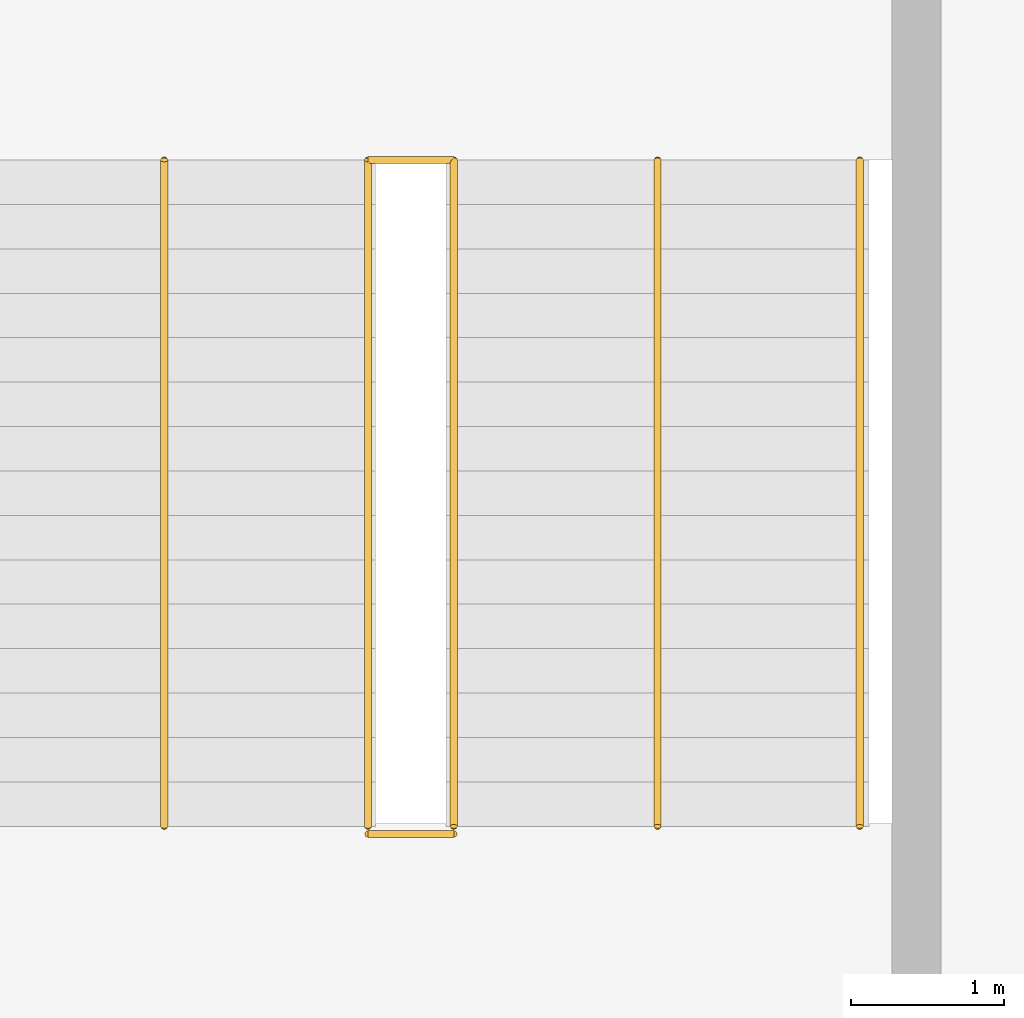
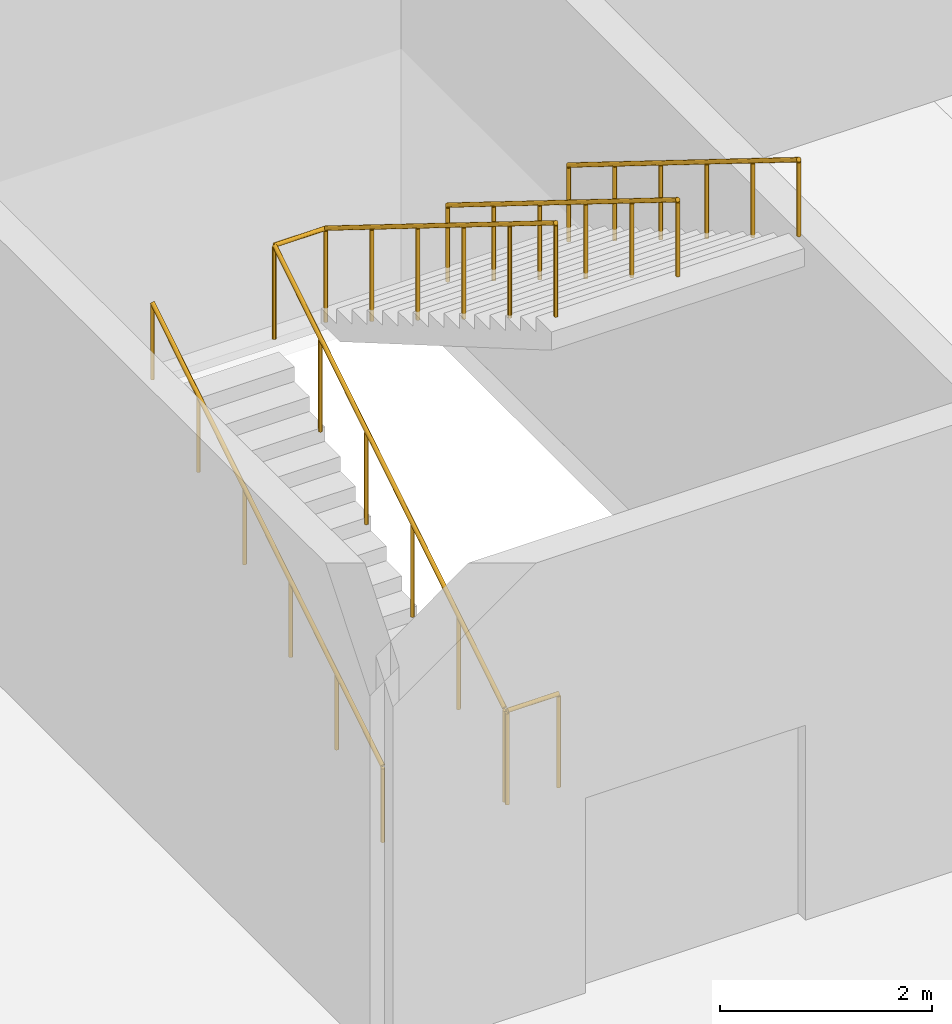
# One storey, part 103 of 113: 5 railings.
"""IFC4 building model written with IfcOpenShell, lengths in metres."""

import ifcopenshell
import ifcopenshell.guid

model = None  # the IFC model being written
_history = None  # IfcOwnerHistory: only IFC2X3 demands one
_inside = {}  # id of a spatial element -> (the spatial element, [elements in it])
_under = {}  # id of a project, library or spatial element -> (it, [spatial elements below it])
_declared = {}  # id of a project -> (the project, [libraries it declares])
_typed = {}  # id of a type object -> (the type object, [elements of that type])
_made_of = {}  # id of a material, layer set ... -> (it, [elements and type objects made of it])


def new_model(schema):
    """Start an empty IFC model of exactly this schema.

    Asked for "IFC4X3", IfcOpenShell would pick the latest addendum, in which some entities
    have other attributes; the version numbers below select the first issue.
    IFC2X3 requires an IfcOwnerHistory on every rooted entity: one is made here for all.
    """
    global model, _history
    if schema == "IFC4X3":
        model = ifcopenshell.file(schema_version=(4, 3, 0, 0))
    else:
        model = ifcopenshell.file(schema=schema)
    _inside.clear()
    _under.clear()
    _declared.clear()
    _typed.clear()
    _made_of.clear()
    _history = None
    if model.schema == "IFC2X3":
        org = make("IfcOrganization", Name="unknown")
        user = make(
            "IfcPersonAndOrganization",
            ThePerson=make("IfcPerson", FamilyName="unknown"),
            TheOrganization=org,
        )
        app = make(
            "IfcApplication",
            ApplicationDeveloper=org,
            Version="unknown",
            ApplicationFullName="unknown",
            ApplicationIdentifier="unknown",
        )
        _history = make(
            "IfcOwnerHistory",
            OwningUser=user,
            OwningApplication=app,
            ChangeAction="ADDED",
            CreationDate=0,
        )
    return model


def make(cls, **values):
    """One entity of the class cls with the attributes given. An attribute that is None is left unset."""
    return model.create_entity(
        cls, **{name: value for name, value in values.items() if value is not None}
    )


def rooted(cls, **values):
    """An entity with a GlobalId (a new one), such as an element, a storey or a relation."""
    return make(cls, GlobalId=ifcopenshell.guid.new(), OwnerHistory=_history, **values)


def si_unit(unit_type, name, prefix=None):
    """IfcSIUnit, for example si_unit("LENGTHUNIT", "METRE", prefix="MILLI")."""
    return make("IfcSIUnit", UnitType=unit_type, Prefix=prefix, Name=name)


def assignment(units):
    """IfcUnitAssignment: the units of a project."""
    return None if units is None else make("IfcUnitAssignment", Units=units)


def point(xyz):
    """IfcCartesianPoint."""
    return None if xyz is None else make("IfcCartesianPoint", Coordinates=xyz)


def direction(xyz):
    """IfcDirection."""
    return None if xyz is None else make("IfcDirection", DirectionRatios=xyz)


def frame(location, z_axis=None, x_axis=None):
    """IfcAxis2Placement3D, a coordinate frame: its origin and axes. An axis left out is left unset."""
    return make(
        "IfcAxis2Placement3D",
        Location=point(location),
        Axis=direction(z_axis),
        RefDirection=direction(x_axis),
    )


def frame_2d(location, x_axis=None):
    """IfcAxis2Placement2D, a coordinate frame in the plane: its origin and x axis."""
    return make(
        "IfcAxis2Placement2D", Location=point(location), RefDirection=direction(x_axis)
    )


def origin():
    """The frame at (0, 0, 0) with its axes left unset."""
    return frame((0.0, 0.0, 0.0))


def origin_2d():
    """The frame at (0, 0) in the plane with its x axis left unset."""
    return frame_2d((0.0, 0.0))


def place(relative_to, where):
    """IfcLocalPlacement: puts the frame where relative to a parent placement (None: the world)."""
    return make(
        "IfcLocalPlacement", PlacementRelTo=relative_to, RelativePlacement=where
    )


def context(
    kind, dimensions, precision=None, world=None, true_north=None, identifier=None
):
    """IfcGeometricRepresentationContext, for example the 3D "Model" context."""
    return make(
        "IfcGeometricRepresentationContext",
        ContextIdentifier=identifier,
        ContextType=kind,
        CoordinateSpaceDimension=dimensions,
        Precision=precision,
        WorldCoordinateSystem=world,
        TrueNorth=true_north,
    )


def subcontext(parent, identifier, kind, view, scale=None):
    """IfcGeometricRepresentationSubContext, for example "Body" below "Model"."""
    return make(
        "IfcGeometricRepresentationSubContext",
        ContextIdentifier=identifier,
        ContextType=kind,
        ParentContext=parent,
        TargetScale=scale,
        TargetView=view,
    )


def project(units=None, contexts=None):
    """IfcProject with its units and contexts."""
    return rooted(
        "IfcProject",
        Name="project",
        RepresentationContexts=contexts,
        UnitsInContext=assignment(units),
    )


def spatial(cls, under=None, at=None, **own):
    """A site, building, storey or space (cls), placed at a placement, below another one or the project."""
    s = rooted(cls, ObjectPlacement=at, **own)
    if under is not None:
        _under.setdefault(under.id(), (under, []))[1].append(s)
    return s


def profile(cls, at=None, kind="AREA", **sizes):
    """A parametric profile (cls). Its sizes go by their IFC names, for example OverallWidth=200.0."""
    return make(cls, ProfileType=kind, Position=at, **sizes)


def circle(**sizes):
    """IfcCircleProfileDef."""
    return profile("IfcCircleProfileDef", **sizes)


def extrude(swept, where, along, depth):
    """IfcExtrudedAreaSolid: the profile swept, set in the frame where, extruded along a direction by depth."""
    return make(
        "IfcExtrudedAreaSolid",
        SweptArea=swept,
        Position=where,
        ExtrudedDirection=direction(along),
        Depth=depth,
    )


def shape(context_of_items, identifier, shape_type, items):
    """IfcShapeRepresentation: the items that make up one representation, for example the "Body"."""
    return make(
        "IfcShapeRepresentation",
        ContextOfItems=context_of_items,
        RepresentationIdentifier=identifier,
        RepresentationType=shape_type,
        Items=items,
    )


def material(Name=None, Category=None):
    """IfcMaterial."""
    return make("IfcMaterial", Name=Name, Category=Category)


def made_of(thing, what):
    """Note that an element or type object is made of a material, layer set ...; save() writes the relation."""
    if what is not None:
        _made_of.setdefault(what.id(), (what, []))[1].append(thing)
    return thing


def type_object(cls, material=None, **own):
    """A type object (cls), such as IfcWallType, which elements share."""
    return made_of(rooted(cls, **own), material)


def element(
    cls,
    number,
    at=None,
    inside=None,
    cuts=None,
    type_object=None,
    material=None,
    context=None,
    identifier="Body",
    shape_type=None,
    held_by="IfcProductDefinitionShape",
    body=None,
    shapes=None,
    **own,
):
    """One element of the class cls, such as IfcWall. Its Tag is "e" and its number.

    at: its placement. inside: the storey or other place that contains it. cuts: it is an
    opening in that element (IfcRelVoidsElement). A single representation is given by context,
    identifier, shape_type and body (its items); several are given by shapes. held_by: the class
    of the entity that holds the representations. save() writes the other relations.
    """
    e = rooted(cls, Tag="e%d" % number, ObjectPlacement=at, **own)
    if body is not None:
        shapes = [shape(context, identifier, shape_type, body)]
    if shapes is not None:
        e.Representation = make(held_by, Representations=shapes)
    if inside is not None:
        _inside.setdefault(inside.id(), (inside, []))[1].append(e)
    if cuts is not None:
        rooted(
            "IfcRelVoidsElement", RelatingBuildingElement=cuts, RelatedOpeningElement=e
        )
    if type_object is not None:
        _typed.setdefault(type_object.id(), (type_object, []))[1].append(e)
    return made_of(e, material)


def aggregate(whole, parts):
    """IfcRelAggregates: a whole, such as a stair, and the parts it consists of."""
    return rooted("IfcRelAggregates", RelatingObject=whole, RelatedObjects=parts)


def save(model, path):
    """Write the relations noted so far, then the file.

    IfcRelAggregates (storeys below a building ...), IfcRelContainedInSpatialStructure (elements
    in a storey), IfcRelDefinesByType, IfcRelAssociatesMaterial and IfcRelDeclares: one each for
    every whole, place, type object, material and project.
    """
    for whole, parts in _under.values():
        aggregate(whole, parts)
    for where, things in _inside.values():
        rooted(
            "IfcRelContainedInSpatialStructure",
            RelatedElements=things,
            RelatingStructure=where,
        )
    for kind, things in _typed.values():
        rooted("IfcRelDefinesByType", RelatedObjects=things, RelatingType=kind)
    for what, things in _made_of.values():
        rooted("IfcRelAssociatesMaterial", RelatedObjects=things, RelatingMaterial=what)
    for by, libraries in _declared.values():
        rooted("IfcRelDeclares", RelatingContext=by, RelatedDefinitions=libraries)
    model.write(path)


model = new_model("IFC4")

# Units and contexts
model_context = context("Model", 3, precision=1e-05, world=origin(), true_north=direction((0.0, 1.0)))
body_context = subcontext(model_context, "Body", "Model", "MODEL_VIEW")
ifc_project = project(units=[si_unit("LENGTHUNIT", "METRE"), si_unit("AREAUNIT", "SQUARE_METRE"), si_unit("VOLUMEUNIT", "CUBIC_METRE"), si_unit("PLANEANGLEUNIT", "RADIAN"), si_unit("MASSUNIT", "GRAM", prefix="KILO")], contexts=[model_context])

# Site, building, storey
site_placement = place(None, origin())
site = spatial("IfcSite", under=ifc_project, at=site_placement, CompositionType="ELEMENT")
building_placement = place(site_placement, origin())
building = spatial("IfcBuilding", under=site, at=building_placement, Name="Kisiwana Market Hall", CompositionType="ELEMENT")
storey_placement = place(building_placement, frame((0.0, 0.0, 6.0)))
storey = spatial("IfcBuildingStorey", under=building, at=storey_placement, Name="L01", CompositionType="ELEMENT", Elevation=6.0)

# Railings
ifc_material_1 = material(Name="Steel S275", Category="steel")
railing_type_1 = type_object("IfcRailingType", Name="RL-GUARD-1100", PredefinedType="GUARDRAIL", material=ifc_material_1)
railing_1_placement = place(storey_placement, frame((89.719970703125, 92.760009765625, 0.0)))
element("IfcRailing", 1, at=railing_1_placement, inside=storey, type_object=railing_type_1, Name="Stair ST-N4-L01 inner-well guardrail (RL-445)", PredefinedType="GUARDRAIL", context=body_context, shape_type="SweptSolid", body=[
    extrude(circle(Radius=0.02392578125, at=origin_2d()), frame((0.0, 0.0, 1.076171875), z_axis=(0.0, 0.849649743971, 0.527347430608), x_axis=(-1.0, 0.0, 0.0)), (0.0, 0.0, 1.0), 5.119873046875),
    extrude(circle(Radius=0.02392578125, at=origin_2d()), frame((0.0, 4.35009765625, 3.77587890625), z_axis=(1.0, 0.0, 0.0), x_axis=(0.0, 1.0, 0.0)), (0.0, 0.0, 1.0), 0.56005859375),
    extrude(circle(Radius=0.02392578125, at=origin_2d()), frame((0.56005859375, 4.35009765625, 3.77587890625), z_axis=(0.0, -0.849649743971, 0.527347430608), x_axis=(1.0, 0.0, 0.0)), (0.0, 0.0, 1.0), 5.119873046875),
    extrude(circle(Radius=0.02099609375, at=origin_2d()), origin(), (0.0, 0.0, 1.0), 1.052001953125),
    extrude(circle(Radius=0.02099609375, at=origin_2d()), frame((0.0, 0.8701171875, 0.5400390625)), (0.0, 0.0, 1.0), 1.052001953125),
    extrude(circle(Radius=0.02099609375, at=origin_2d()), frame((0.0, 1.739990234375, 1.080078125)), (0.0, 0.0, 1.0), 1.052001953125),
    extrude(circle(Radius=0.02099609375, at=origin_2d()), frame((0.0, 2.610107421875, 1.619873046875)), (0.0, 0.0, 1.0), 1.052001953125),
    extrude(circle(Radius=0.02099609375, at=origin_2d()), frame((0.0, 3.47998046875, 2.159912109375)), (0.0, 0.0, 1.0), 1.052001953125),
    extrude(circle(Radius=0.02099609375, at=origin_2d()), frame((0.0, 4.35009765625, 2.699951171875)), (0.0, 0.0, 1.0), 1.052001953125),
    extrude(circle(Radius=0.02099609375, at=origin_2d()), frame((0.56005859375, 4.35009765625, 2.699951171875)), (0.0, 0.0, 1.0), 1.052001953125),
    extrude(circle(Radius=0.02099609375, at=origin_2d()), frame((0.56005859375, 3.47998046875, 3.239990234375)), (0.0, 0.0, 1.0), 1.052001953125),
    extrude(circle(Radius=0.02099609375, at=origin_2d()), frame((0.56005859375, 2.610107421875, 3.780029296875)), (0.0, 0.0, 1.0), 1.052001953125),
    extrude(circle(Radius=0.02099609375, at=origin_2d()), frame((0.56005859375, 1.739990234375, 4.31982421875)), (0.0, 0.0, 1.0), 1.052001953125),
    extrude(circle(Radius=0.02099609375, at=origin_2d()), frame((0.56005859375, 0.8701171875, 4.85986328125)), (0.0, 0.0, 1.0), 1.052001953125),
    extrude(circle(Radius=0.02099609375, at=origin_2d()), frame((0.56005859375, 0.0, 5.39990234375)), (0.0, 0.0, 1.0), 1.052001953125),
])
railing_2_placement = place(storey_placement, frame((89.719970703125, 92.7099609375, 0.0)))
element("IfcRailing", 2, at=railing_2_placement, inside=storey, type_object=railing_type_1, Name="Stair ST-N4-L01 landing edge guardrail (RL-450)", PredefinedType="GUARDRAIL", context=body_context, shape_type="SweptSolid", body=[
    extrude(circle(Radius=0.02392578125, at=origin_2d()), frame((0.0, 0.0, 1.076171875), z_axis=(1.0, 0.0, 0.0), x_axis=(0.0, 1.0, 0.0)), (0.0, 0.0, 1.0), 0.56005859375),
    extrude(circle(Radius=0.02099609375, at=origin_2d()), origin(), (0.0, 0.0, 1.0), 1.052001953125),
    extrude(circle(Radius=0.02099609375, at=origin_2d()), frame((0.56005859375, 0.0, 0.0)), (0.0, 0.0, 1.0), 1.052001953125),
])
ifc_material_2 = material(Name="Steel S275", Category="steel")
railing_type_2 = type_object("IfcRailingType", Name="RL-HAND-900", PredefinedType="HANDRAIL", material=ifc_material_2)
railing_3_placement = place(storey_placement, frame((92.929931640625, 97.110107421875, 2.699951171875)))
element("IfcRailing", 3, at=railing_3_placement, inside=storey, type_object=railing_type_2, Name="Stair ST-N4-L01 flight 2 handrail (RL-447)", PredefinedType="HANDRAIL", context=body_context, shape_type="SweptSolid", body=[
    extrude(circle(Radius=0.02392578125, at=origin_2d()), frame((0.0, 0.0, 0.8759765625), z_axis=(0.0, -0.849649743971, 0.527347430608), x_axis=(1.0, 0.0, 0.0)), (0.0, 0.0, 1.0), 5.119873046875),
    extrude(circle(Radius=0.02099609375, at=origin_2d()), origin(), (0.0, 0.0, 1.0), 0.851806640625),
    extrude(circle(Radius=0.02099609375, at=origin_2d()), frame((0.0, -0.8701171875, 0.5400390625)), (0.0, 0.0, 1.0), 0.851806640625),
    extrude(circle(Radius=0.02099609375, at=origin_2d()), frame((0.0, -1.739990234375, 1.080078125)), (0.0, 0.0, 1.0), 0.851806640625),
    extrude(circle(Radius=0.02099609375, at=origin_2d()), frame((0.0, -2.610107421875, 1.619873046875)), (0.0, 0.0, 1.0), 0.851806640625),
    extrude(circle(Radius=0.02099609375, at=origin_2d()), frame((0.0, -3.47998046875, 2.159912109375)), (0.0, 0.0, 1.0), 0.851806640625),
    extrude(circle(Radius=0.02099609375, at=origin_2d()), frame((0.0, -4.35009765625, 2.699951171875)), (0.0, 0.0, 1.0), 0.851806640625),
])
railing_4_placement = place(storey_placement, frame((88.389892578125, 92.760009765625, 0.0)))
element("IfcRailing", 4, at=railing_4_placement, inside=storey, type_object=railing_type_2, Name="Stair ST-N4-L01 flight 1 intermediate handrail (RL-448)", PredefinedType="HANDRAIL", context=body_context, shape_type="SweptSolid", body=[
    extrude(circle(Radius=0.02392578125, at=origin_2d()), frame((0.0, 0.0, 0.8759765625), z_axis=(0.0, 0.849649743971, 0.527347430608), x_axis=(-1.0, 0.0, 0.0)), (0.0, 0.0, 1.0), 5.119873046875),
    extrude(circle(Radius=0.02099609375, at=origin_2d()), origin(), (0.0, 0.0, 1.0), 0.851806640625),
    extrude(circle(Radius=0.02099609375, at=origin_2d()), frame((0.0, 0.8701171875, 0.5400390625)), (0.0, 0.0, 1.0), 0.851806640625),
    extrude(circle(Radius=0.02099609375, at=origin_2d()), frame((0.0, 1.739990234375, 1.080078125)), (0.0, 0.0, 1.0), 0.851806640625),
    extrude(circle(Radius=0.02099609375, at=origin_2d()), frame((0.0, 2.610107421875, 1.619873046875)), (0.0, 0.0, 1.0), 0.851806640625),
    extrude(circle(Radius=0.02099609375, at=origin_2d()), frame((0.0, 3.47998046875, 2.159912109375)), (0.0, 0.0, 1.0), 0.851806640625),
    extrude(circle(Radius=0.02099609375, at=origin_2d()), frame((0.0, 4.35009765625, 2.699951171875)), (0.0, 0.0, 1.0), 0.851806640625),
])
railing_5_placement = place(storey_placement, frame((91.610107421875, 97.110107421875, 2.699951171875)))
element("IfcRailing", 5, at=railing_5_placement, inside=storey, type_object=railing_type_2, Name="Stair ST-N4-L01 flight 2 intermediate handrail (RL-449)", PredefinedType="HANDRAIL", context=body_context, shape_type="SweptSolid", body=[
    extrude(circle(Radius=0.02392578125, at=origin_2d()), frame((0.0, 0.0, 0.8759765625), z_axis=(0.0, -0.849649743971, 0.527347430608), x_axis=(1.0, 0.0, 0.0)), (0.0, 0.0, 1.0), 5.119873046875),
    extrude(circle(Radius=0.02099609375, at=origin_2d()), origin(), (0.0, 0.0, 1.0), 0.851806640625),
    extrude(circle(Radius=0.02099609375, at=origin_2d()), frame((0.0, -0.8701171875, 0.5400390625)), (0.0, 0.0, 1.0), 0.851806640625),
    extrude(circle(Radius=0.02099609375, at=origin_2d()), frame((0.0, -1.739990234375, 1.080078125)), (0.0, 0.0, 1.0), 0.851806640625),
    extrude(circle(Radius=0.02099609375, at=origin_2d()), frame((0.0, -2.610107421875, 1.619873046875)), (0.0, 0.0, 1.0), 0.851806640625),
    extrude(circle(Radius=0.02099609375, at=origin_2d()), frame((0.0, -3.47998046875, 2.159912109375)), (0.0, 0.0, 1.0), 0.851806640625),
    extrude(circle(Radius=0.02099609375, at=origin_2d()), frame((0.0, -4.35009765625, 2.699951171875)), (0.0, 0.0, 1.0), 0.851806640625),
])

save(model, "model.ifc")
